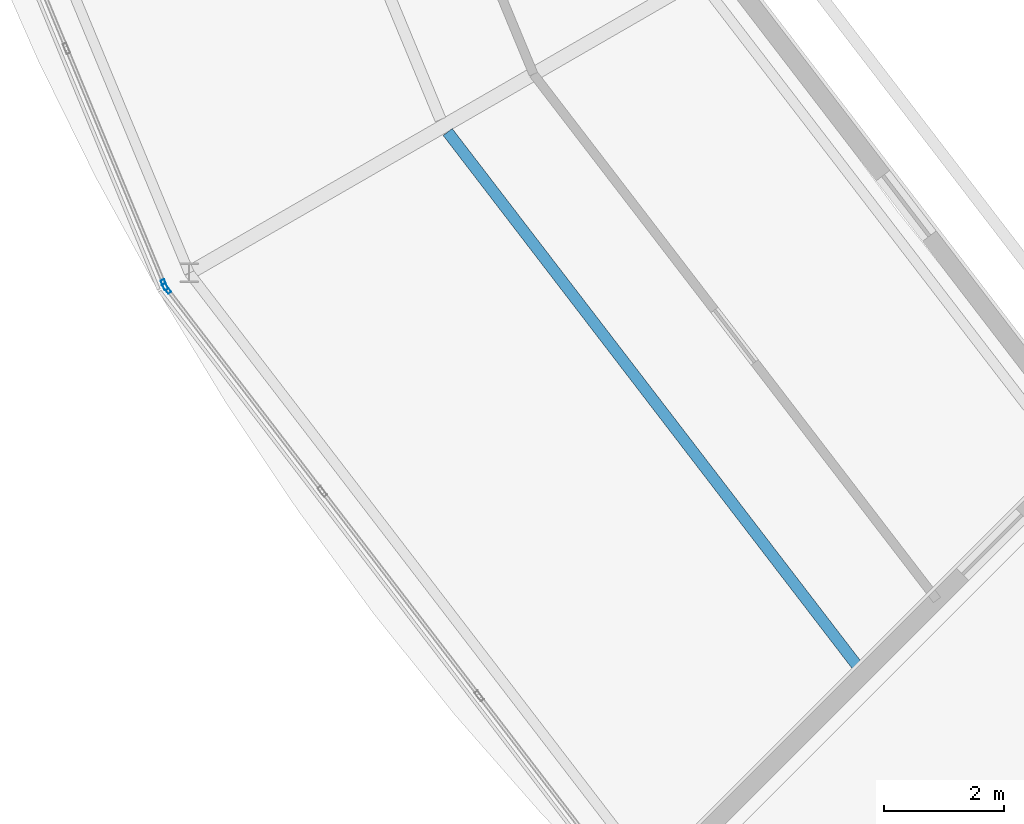
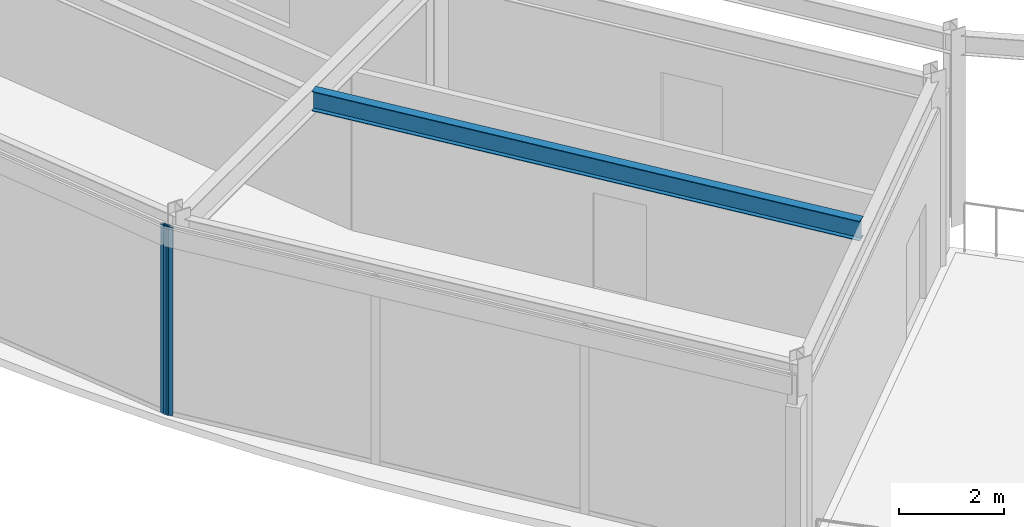
# One storey, part 24 of 133: 2 members, 1 beam, 2 elements without a shape of their own.
"""IFC4 building model written with IfcOpenShell, lengths in metres."""

from ifc_helpers import new_model, si_unit, direction, frame, origin, origin_2d, place, context, subcontext, project, spatial, hollow_rectangle, i_section, extrude, material, material_profile, profile_set, type_object, element, aggregate, save


model = new_model("IFC4")

# Units and contexts
model_context = context("Model", 3, precision=1e-05, world=origin(), true_north=direction((0.0, 1.0)))
body_context = subcontext(model_context, "Body", "Model", "MODEL_VIEW")
ifc_project = project(units=[si_unit("LENGTHUNIT", "METRE"), si_unit("AREAUNIT", "SQUARE_METRE"), si_unit("VOLUMEUNIT", "CUBIC_METRE"), si_unit("PLANEANGLEUNIT", "RADIAN"), si_unit("MASSUNIT", "GRAM", prefix="KILO")], contexts=[model_context])

# Site, building, storey
site_placement = place(None, origin())
site = spatial("IfcSite", under=ifc_project, at=site_placement, CompositionType="ELEMENT")
building_placement = place(site_placement, origin())
building = spatial("IfcBuilding", under=site, at=building_placement, Name="Almandine Court Research Institute", CompositionType="ELEMENT")
storey_placement = place(building_placement, frame((0.0, 0.0, 9.800048828125)))
storey = spatial("IfcBuildingStorey", under=building, at=storey_placement, Name="L02", CompositionType="ELEMENT", Elevation=9.800048828125)

# Beam
ifc_material_1 = material(Name="Steel ASTM A992 Grade 50", Category="steel")
ifc_material_profile_1 = material_profile(ifc_material_1, i_section(OverallWidth=0.18994140625, OverallDepth=0.45703125, WebThickness=0.009033203125, FlangeThickness=0.014892578125, at=origin_2d()), Name="W460x74")
ifc_profile_set_1 = profile_set([ifc_material_profile_1], Name="Steel ASTM A992 Grade 50")
beam_type = type_object("IfcBeamType", Name="Beam-B-01", PredefinedType="BEAM", material=ifc_profile_set_1)
beam_placement = place(storey_placement, frame((48.955078125, 33.89599609375, 4.093994140625), z_axis=(0.608773677202, -0.793343941772, 0.0), x_axis=(0.793343941772, 0.608773677202, 0.0)))
element("IfcBeam", 1, at=beam_placement, inside=storey, type_object=beam_type, Name="L02 Drum MID Ring Beam 14", PredefinedType="BEAM", context=body_context, shape_type="SweptSolid", body=[
    extrude(i_section(OverallWidth=0.18994140625, OverallDepth=0.45703125, WebThickness=0.009033203125, FlangeThickness=0.014892578125, at=origin_2d()), origin(), (0.0, 0.0, 1.0), 11.248779296875),
])

# Curtain wall, member
ifc_material_2 = material(Name="Unitised Curtain Wall Framing and Solar Glazing", Category="glass")
curtain_wall_type = type_object("IfcCurtainWallType", Name="CW-CWJ-19", PredefinedType="USERDEFINED", material=ifc_material_2)
curtain_wall_1_placement = place(storey_placement, origin())
curtain_wall_1 = element("IfcCurtainWall", 2, at=curtain_wall_1_placement, inside=storey, type_object=curtain_wall_type, Name="L02 Stacked-Ring Drum Outer Solar Jali Screen 13", ObjectType="SOLAR JALI SCREEN", PredefinedType="USERDEFINED")
ifc_material_3 = material(Name="Anodised Aluminium AW-6063-T6", Category="aluminium")
ifc_material_profile_2 = material_profile(ifc_material_3, hollow_rectangle(XDim=0.06494140625, YDim=0.179931640625, WallThickness=0.00390625, at=origin_2d()), Name="ALU RHS 65x180x4")
ifc_profile_set_2 = profile_set([ifc_material_profile_2], Name="Anodised Aluminium AW-6063-T6")
member_type = type_object("IfcMemberType", Name="CWMul-65x180", PredefinedType="MULLION", material=ifc_profile_set_2)
member_1_placement = place(storey_placement, frame((44.238525390625, 31.35302734375, 0.0), z_axis=(0.0, 0.0, 1.0), x_axis=(-0.923888124321, -0.382662689242, 0.0)))
member_1 = element("IfcMember", 3, at=member_1_placement, type_object=member_type, Name="CWJ-19 mullion 1", PredefinedType="MULLION", context=body_context, shape_type="SweptSolid", body=[
    extrude(hollow_rectangle(XDim=0.06494140625, YDim=0.179931640625, WallThickness=0.00390625, at=origin_2d()), origin(), (0.0, 0.0, 1.0), 4.369873046875),
])
aggregate(curtain_wall_1, [member_1])

curtain_wall_2_placement = place(storey_placement, origin())
curtain_wall_2 = element("IfcCurtainWall", 4, at=curtain_wall_2_placement, inside=storey, type_object=curtain_wall_type, Name="L02 Stacked-Ring Drum Outer Solar Jali Screen 14", ObjectType="SOLAR JALI SCREEN", PredefinedType="USERDEFINED")
member_2_placement = place(storey_placement, frame((44.27490234375, 31.291259765625, 0.0), z_axis=(0.0, 0.0, 1.0), x_axis=(-0.793382586046, -0.608723313303, 0.0)))
member_2 = element("IfcMember", 5, at=member_2_placement, type_object=member_type, Name="CWJ-19 mullion 4", PredefinedType="MULLION", context=body_context, shape_type="SweptSolid", body=[
    extrude(hollow_rectangle(XDim=0.06494140625, YDim=0.179931640625, WallThickness=0.00390625, at=origin_2d()), origin(), (0.0, 0.0, 1.0), 4.369873046875),
])
aggregate(curtain_wall_2, [member_2])

save(model, "model.ifc")
